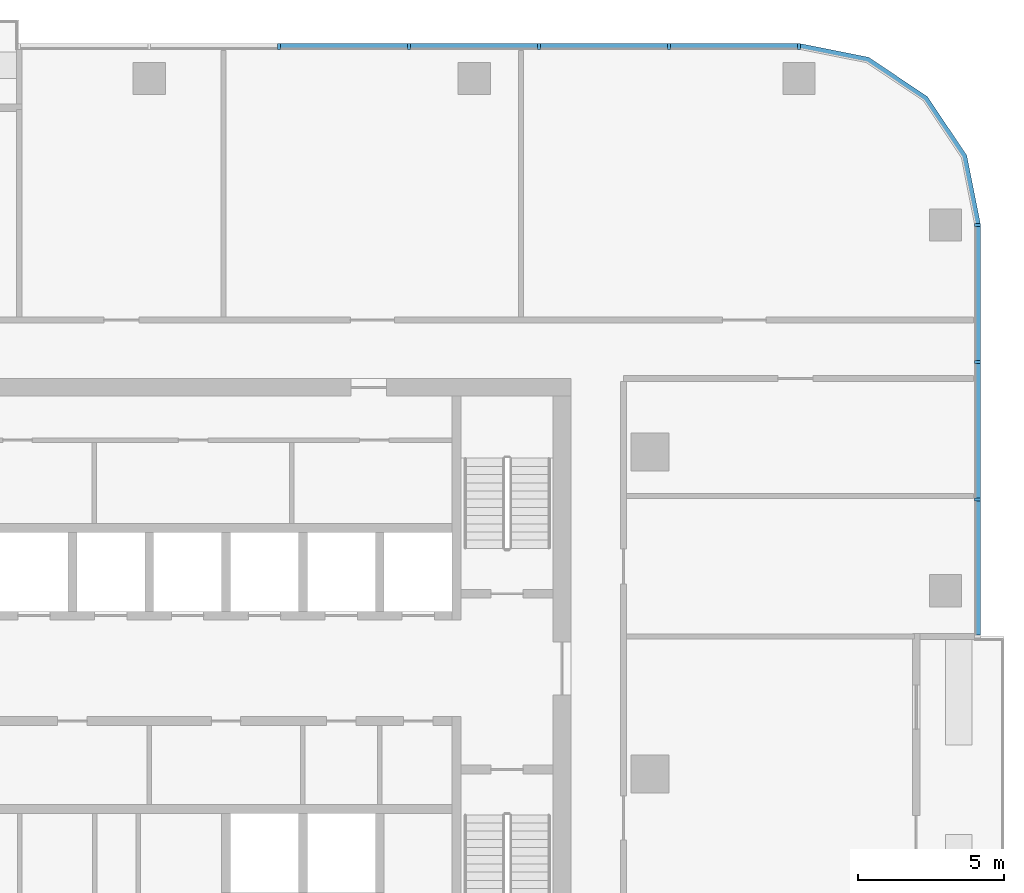
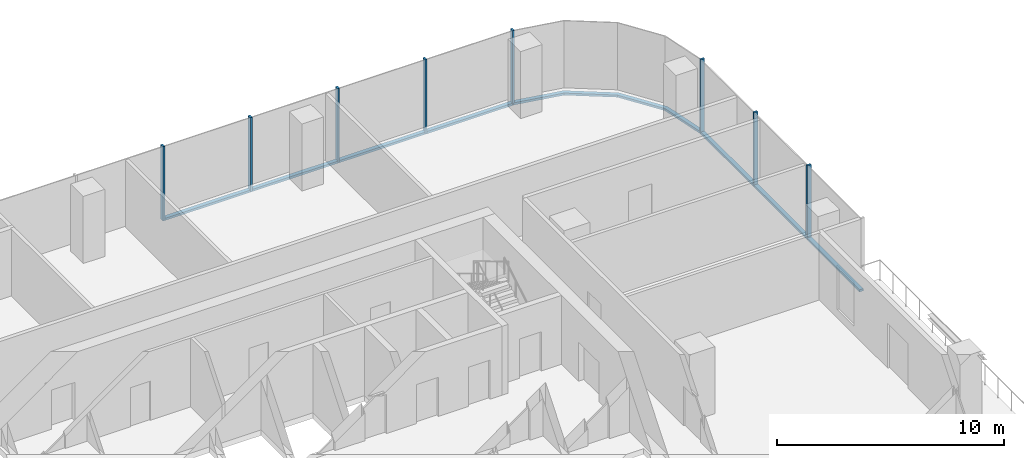
# One storey, part 5 of 14: 16 members, 3 elements without a shape of their own.
"""IFC4 building model written with IfcOpenShell, lengths in metres."""

from ifc_helpers import new_model, si_unit, direction, frame, origin, origin_2d, place, context, subcontext, project, spatial, polyline, rectangle, outline, extrude, material, material_profile, profile_set, type_object, element, aggregate, save


model = new_model("IFC4")

# Units and contexts
model_context = context("Model", 3, precision=1e-05, world=origin(), true_north=direction((0.0, 1.0)))
body_context = subcontext(model_context, "Body", "Model", "MODEL_VIEW")
ifc_project = project(units=[si_unit("LENGTHUNIT", "METRE"), si_unit("AREAUNIT", "SQUARE_METRE"), si_unit("VOLUMEUNIT", "CUBIC_METRE"), si_unit("PLANEANGLEUNIT", "RADIAN"), si_unit("MASSUNIT", "GRAM", prefix="KILO")], contexts=[model_context])

# Site, building, storey
site_placement = place(None, origin())
site = spatial("IfcSite", under=ifc_project, at=site_placement, CompositionType="ELEMENT")
building_placement = place(site_placement, origin())
building = spatial("IfcBuilding", under=site, at=building_placement, Name="Mopane Tessera Tower", CompositionType="ELEMENT")
storey_placement = place(building_placement, frame((0.0, 0.0, 215.0)))
storey = spatial("IfcBuildingStorey", under=building, at=storey_placement, Name="L45", CompositionType="ELEMENT", Elevation=215.0)

# Curtain wall, members
ifc_material_1 = material(Name="Aluminium frame", Category="aluminium")
curtain_wall_type = type_object("IfcCurtainWallType", Name="Unitised curtain wall", PredefinedType="NOTDEFINED", material=ifc_material_1)
curtain_wall_1_placement = place(storey_placement, origin())
curtain_wall_1 = element("IfcCurtainWall", 1, at=curtain_wall_1_placement, inside=storey, type_object=curtain_wall_type, Name="e:cw:L45:E:5", PredefinedType="NOTDEFINED")
ifc_material_2 = material(Name="Aluminium frame", Category="aluminium")
ifc_material_profile_1 = material_profile(ifc_material_2, rectangle(XDim=0.10009765625, YDim=0.199951171875, at=origin_2d()))
ifc_profile_set_1 = profile_set([ifc_material_profile_1], Name="Aluminium frame")
member_type_1 = type_object("IfcMemberType", Name="Aluminium mullion 100 x 200", PredefinedType="MULLION", material=ifc_profile_set_1)
member_1_placement = place(storey_placement, frame((28.300048828125, 9.375, -0.39990234375), z_axis=(0.0, 0.0, 1.0), x_axis=(0.0, 1.0, 0.0)))
member_1 = element("IfcMember", 2, at=member_1_placement, type_object=member_type_1, Name="e:cw:L45:E:5:mu6", PredefinedType="MULLION", context=body_context, shape_type="SweptSolid", body=[
    extrude(rectangle(XDim=0.10009765625, YDim=0.199951171875, at=origin_2d()), origin(), (0.0, 0.0, 1.0), 4.0),
])
member_2_placement = place(storey_placement, frame((28.300048828125, 14.0625, -0.39990234375), z_axis=(0.0, 0.0, 1.0), x_axis=(0.0, 1.0, 0.0)))
member_2 = element("IfcMember", 3, at=member_2_placement, type_object=member_type_1, Name="e:cw:L45:E:5:mu7", PredefinedType="MULLION", context=body_context, shape_type="SweptSolid", body=[
    extrude(rectangle(XDim=0.10009765625, YDim=0.199951171875, at=origin_2d()), origin(), (0.0, 0.0, 1.0), 4.0),
])
member_3_placement = place(storey_placement, frame((28.300048828125, 18.75, -0.39990234375), z_axis=(0.0, 0.0, 1.0), x_axis=(0.0, 1.0, 0.0)))
member_3 = element("IfcMember", 4, at=member_3_placement, type_object=member_type_1, Name="e:cw:L45:E:5:mu8", PredefinedType="MULLION", context=body_context, shape_type="SweptSolid", body=[
    extrude(rectangle(XDim=0.10009765625, YDim=0.199951171875, at=origin_2d()), origin(), (0.0, 0.0, 1.0), 4.0),
])

curtain_wall_2_placement = place(storey_placement, origin())
curtain_wall_2 = element("IfcCurtainWall", 5, at=curtain_wall_2_placement, inside=storey, type_object=curtain_wall_type, Name="e:cw:L45:N:0", PredefinedType="NOTDEFINED")
member_4_placement = place(storey_placement, frame((22.199951171875, 24.85009765625, -0.39990234375), z_axis=(0.0, 0.0, 1.0), x_axis=(-1.0, 0.0, 0.0)))
member_4 = element("IfcMember", 6, at=member_4_placement, type_object=member_type_1, Name="e:cw:L45:N:0:mu0", PredefinedType="MULLION", context=body_context, shape_type="SweptSolid", body=[
    extrude(rectangle(XDim=0.10009765625, YDim=0.199951171875, at=origin_2d()), origin(), (0.0, 0.0, 1.0), 4.0),
])
member_5_placement = place(storey_placement, frame((17.760009765625, 24.85009765625, -0.39990234375), z_axis=(0.0, 0.0, 1.0), x_axis=(-1.0, 0.0, 0.0)))
member_5 = element("IfcMember", 7, at=member_5_placement, type_object=member_type_1, Name="e:cw:L45:N:0:mu1", PredefinedType="MULLION", context=body_context, shape_type="SweptSolid", body=[
    extrude(rectangle(XDim=0.10009765625, YDim=0.199951171875, at=origin_2d()), origin(), (0.0, 0.0, 1.0), 4.0),
])
member_6_placement = place(storey_placement, frame((13.320068359375, 24.85009765625, -0.39990234375), z_axis=(0.0, 0.0, 1.0), x_axis=(-1.0, 0.0, 0.0)))
member_6 = element("IfcMember", 8, at=member_6_placement, type_object=member_type_1, Name="e:cw:L45:N:0:mu2", PredefinedType="MULLION", context=body_context, shape_type="SweptSolid", body=[
    extrude(rectangle(XDim=0.10009765625, YDim=0.199951171875, at=origin_2d()), origin(), (0.0, 0.0, 1.0), 4.0),
])
member_7_placement = place(storey_placement, frame((8.8798828125, 24.85009765625, -0.39990234375), z_axis=(0.0, 0.0, 1.0), x_axis=(-1.0, 0.0, 0.0)))
member_7 = element("IfcMember", 9, at=member_7_placement, type_object=member_type_1, Name="e:cw:L45:N:0:mu3", PredefinedType="MULLION", context=body_context, shape_type="SweptSolid", body=[
    extrude(rectangle(XDim=0.10009765625, YDim=0.199951171875, at=origin_2d()), origin(), (0.0, 0.0, 1.0), 4.0),
])
member_8_placement = place(storey_placement, frame((4.43994140625, 24.85009765625, -0.39990234375), z_axis=(0.0, 0.0, 1.0), x_axis=(-1.0, 0.0, 0.0)))
member_8 = element("IfcMember", 10, at=member_8_placement, type_object=member_type_1, Name="e:cw:L45:N:0:mu4", PredefinedType="MULLION", context=body_context, shape_type="SweptSolid", body=[
    extrude(rectangle(XDim=0.10009765625, YDim=0.199951171875, at=origin_2d()), origin(), (0.0, 0.0, 1.0), 4.0),
])

# Member
ifc_material_3 = material(Name="Aluminium frame", Category="aluminium")
ifc_material_profile_2 = material_profile(ifc_material_3, rectangle(XDim=0.199951171875, YDim=0.1201171875, at=origin_2d()))
ifc_profile_set_2 = profile_set([ifc_material_profile_2], Name="Aluminium frame")
member_type_2 = type_object("IfcMemberType", Name="Aluminium transom 200 x 120", PredefinedType="USERDEFINED", material=ifc_profile_set_2)
member_9_placement = place(storey_placement, frame((28.300048828125, 4.737548828125, -0.340087890625), z_axis=(0.0, 1.0, 0.0), x_axis=(-1.0, 0.0, 0.0)))
member_9 = element("IfcMember", 11, at=member_9_placement, type_object=member_type_2, Name="e:cw:L45:E:5:tr5", ObjectType="TRANSOM", PredefinedType="USERDEFINED", context=body_context, shape_type="SweptSolid", body=[
    extrude(rectangle(XDim=0.199951171875, YDim=0.1201171875, at=origin_2d()), origin(), (0.0, 0.0, 1.0), 4.58740234375),
])

member_10_placement = place(storey_placement, frame((28.300048828125, 9.425048828125, -0.340087890625), z_axis=(0.0, 1.0, 0.0), x_axis=(-1.0, 0.0, 0.0)))
member_10 = element("IfcMember", 12, at=member_10_placement, type_object=member_type_2, Name="e:cw:L45:E:5:tr6", ObjectType="TRANSOM", PredefinedType="USERDEFINED", context=body_context, shape_type="SweptSolid", body=[
    extrude(rectangle(XDim=0.199951171875, YDim=0.1201171875, at=origin_2d()), origin(), (0.0, 0.0, 1.0), 4.58740234375),
])

member_11_placement = place(storey_placement, frame((28.300048828125, 14.112548828125, -0.340087890625), z_axis=(0.0, 1.0, 0.0), x_axis=(-1.0, 0.0, 0.0)))
member_11 = element("IfcMember", 13, at=member_11_placement, type_object=member_type_2, Name="e:cw:L45:E:5:tr7", ObjectType="TRANSOM", PredefinedType="USERDEFINED", context=body_context, shape_type="SweptSolid", body=[
    extrude(rectangle(XDim=0.199951171875, YDim=0.1201171875, at=origin_2d()), origin(), (0.0, 0.0, 1.0), 4.58740234375),
])

aggregate(curtain_wall_1, [member_1, member_2, member_3, member_9, member_10, member_11])

# Curtain wall, member
curtain_wall_3_placement = place(storey_placement, origin())
curtain_wall_3 = element("IfcCurtainWall", 14, at=curtain_wall_3_placement, inside=storey, type_object=curtain_wall_type, Name="e:cw:L45:CE", PredefinedType="NOTDEFINED")
member_12_placement = place(storey_placement, frame((0.0, 0.0, -0.39990234375)))
member_12 = element("IfcMember", 15, at=member_12_placement, type_object=member_type_2, Name="e:cw:L45:CE:tr", ObjectType="TRANSOM", PredefinedType="USERDEFINED", context=body_context, shape_type="SweptSolid", body=[
    extrude(outline(polyline([(28.199951171875, 18.75), (27.7431640625, 21.046142578125), (26.442626953125, 22.99267578125), (24.49609375, 24.293212890625), (22.199951171875, 24.75), (22.199951171875, 24.949951171875), (24.57275390625, 24.47802734375), (26.583984375, 23.134033203125), (27.927978515625, 21.12255859375), (28.39990234375, 18.75), (28.199951171875, 18.75)])), origin(), (0.0, 0.0, 1.0), 0.119873046875),
])
aggregate(curtain_wall_3, [member_12])

# Member
member_13_placement = place(storey_placement, frame((22.14990234375, 24.85009765625, -0.340087890625), z_axis=(-1.0, 0.0, 0.0), x_axis=(0.0, -1.0, 0.0)))
member_13 = element("IfcMember", 16, at=member_13_placement, type_object=member_type_2, Name="e:cw:L45:N:0:tr0", ObjectType="TRANSOM", PredefinedType="USERDEFINED", context=body_context, shape_type="SweptSolid", body=[
    extrude(rectangle(XDim=0.199951171875, YDim=0.1201171875, at=origin_2d()), origin(), (0.0, 0.0, 1.0), 4.33984375),
])

member_14_placement = place(storey_placement, frame((17.7099609375, 24.85009765625, -0.340087890625), z_axis=(-1.0, 0.0, 0.0), x_axis=(0.0, -1.0, 0.0)))
member_14 = element("IfcMember", 17, at=member_14_placement, type_object=member_type_2, Name="e:cw:L45:N:0:tr1", ObjectType="TRANSOM", PredefinedType="USERDEFINED", context=body_context, shape_type="SweptSolid", body=[
    extrude(rectangle(XDim=0.199951171875, YDim=0.1201171875, at=origin_2d()), origin(), (0.0, 0.0, 1.0), 4.33984375),
])

member_15_placement = place(storey_placement, frame((13.27001953125, 24.85009765625, -0.340087890625), z_axis=(-1.0, 0.0, 0.0), x_axis=(0.0, -1.0, 0.0)))
member_15 = element("IfcMember", 18, at=member_15_placement, type_object=member_type_2, Name="e:cw:L45:N:0:tr2", ObjectType="TRANSOM", PredefinedType="USERDEFINED", context=body_context, shape_type="SweptSolid", body=[
    extrude(rectangle(XDim=0.199951171875, YDim=0.1201171875, at=origin_2d()), origin(), (0.0, 0.0, 1.0), 4.340087890625),
])

member_16_placement = place(storey_placement, frame((8.830078125, 24.85009765625, -0.340087890625), z_axis=(-1.0, 0.0, 0.0), x_axis=(0.0, -1.0, 0.0)))
member_16 = element("IfcMember", 19, at=member_16_placement, type_object=member_type_2, Name="e:cw:L45:N:0:tr3", ObjectType="TRANSOM", PredefinedType="USERDEFINED", context=body_context, shape_type="SweptSolid", body=[
    extrude(rectangle(XDim=0.199951171875, YDim=0.1201171875, at=origin_2d()), origin(), (0.0, 0.0, 1.0), 4.340087890625),
])

aggregate(curtain_wall_2, [member_4, member_5, member_6, member_7, member_8, member_13, member_14, member_15, member_16])

save(model, "model.ifc")
